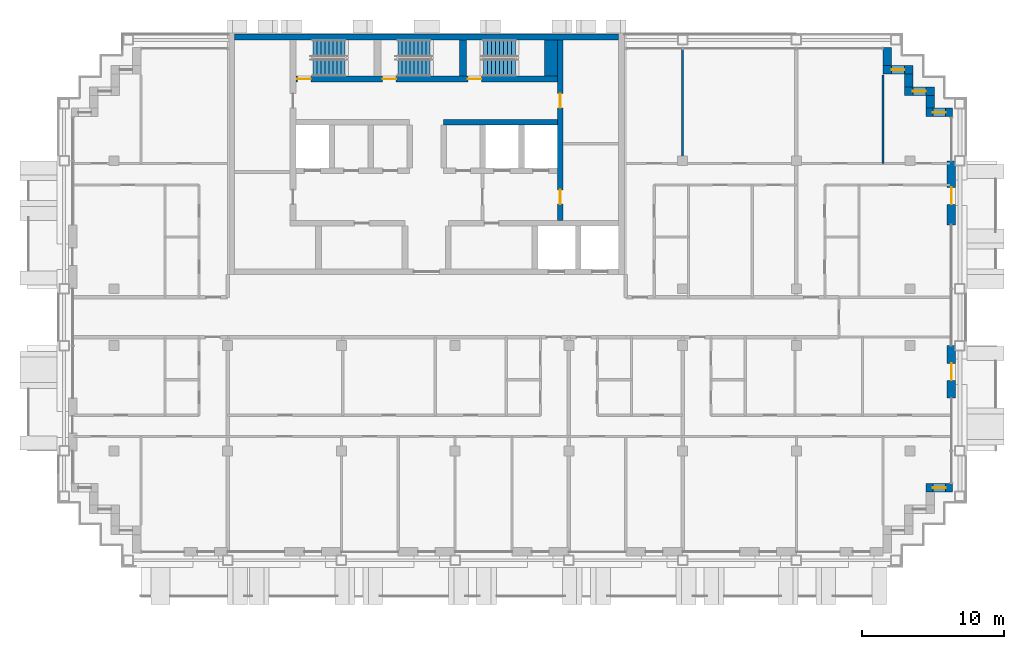
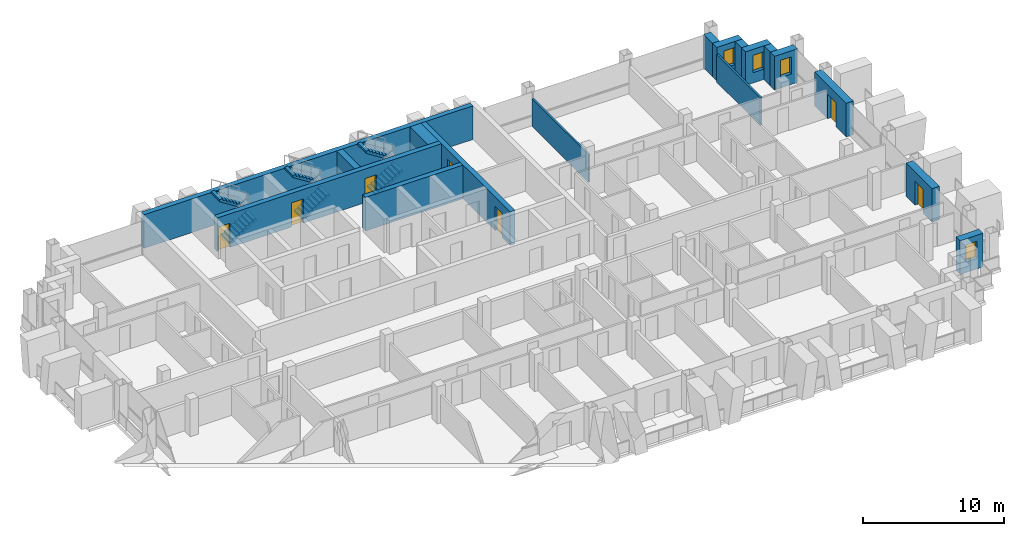
# One storey, part 12 of 16: 17 walls, 7 doors, 6 stair flights, 4 windows, 11 openings, 3 elements without a shape of their own.
"""IFC4 building model written with IfcOpenShell, lengths in metres."""

from ifc_helpers import new_model, si_unit, direction, frame, frame_2d, origin, place, context, subcontext, project, spatial, polyline, rectangle, outline, extrude, material, layer, layer_set, type_object, element, fill, aggregate, save


model = new_model("IFC4")

# Units and contexts
model_context = context("Model", 3, precision=1e-05, world=origin(), true_north=direction((0.0, 1.0)))
body_context = subcontext(model_context, "Body", "Model", "MODEL_VIEW")
ifc_project = project(units=[si_unit("LENGTHUNIT", "METRE"), si_unit("AREAUNIT", "SQUARE_METRE"), si_unit("VOLUMEUNIT", "CUBIC_METRE"), si_unit("PLANEANGLEUNIT", "RADIAN"), si_unit("MASSUNIT", "GRAM", prefix="KILO")], contexts=[model_context])

# Site, building, storey
site_placement = place(None, origin())
site = spatial("IfcSite", under=ifc_project, at=site_placement, CompositionType="ELEMENT")
building_placement = place(site_placement, origin())
building = spatial("IfcBuilding", under=site, at=building_placement, Name="Vidyagriha Tower", CompositionType="ELEMENT")
storey_placement = place(building_placement, frame((0.0, 0.0, 187.699951171875)))
storey = spatial("IfcBuildingStorey", under=building, at=storey_placement, Name="L49", CompositionType="ELEMENT", Elevation=187.699951171875)

# Wall, opening, window
ifc_material_1 = material(Name="Precast concrete C40/50 with brick facing", Category="concrete")
ifc_layer_1 = layer(ifc_material_1, 0.60009765625)
ifc_layer_set_1 = layer_set([ifc_layer_1], Name="Precast concrete C40/50 with brick facing")
wall_type_1 = type_object("IfcWallType", Name="Brick-faced precast wall 600", PredefinedType="STANDARD", material=ifc_layer_set_1)
wall_1_placement = place(storey_placement, frame((36.97998046875, 14.39990234375, 0.0), z_axis=(0.0, 0.0, 1.0), x_axis=(-1.0, 0.0, 0.0)))
wall_1 = element("IfcWall", 1, at=wall_1_placement, inside=storey, type_object=wall_type_1, Name="Stepped corner wall L49 R01", PredefinedType="STANDARD", context=body_context, shape_type="SweptSolid", body=[
    extrude(rectangle(XDim=1.8798828125, YDim=0.60009765625, at=frame_2d((0.93994140625, 0.0))), origin(), (0.0, 0.0, 1.0), 2.920166015625),
])
opening_1_placement = place(wall_1_placement, frame((0.489990234375, 0.0, 0.89990234375)))
opening_1 = element("IfcOpeningElement", 2, at=opening_1_placement, cuts=wall_1, Name="Opening WN1", PredefinedType="OPENING", context=body_context, shape_type="SweptSolid", body=[
    extrude(rectangle(XDim=0.89990234375, YDim=1.5, at=frame_2d((0.449951171875, 0.75))), frame((0.0, 0.31005859375, 0.0), z_axis=(0.0, -1.0, 0.0), x_axis=(1.0, 0.0, 0.0)), (0.0, 0.0, 1.0), 0.6201171875),
])
ifc_material_2 = material(Name="Aluminium and glass window", Category="aluminium")
window_type = type_object("IfcWindowType", Name="Reveal window 900x1500", PartitioningType="NOTDEFINED", PredefinedType="WINDOW", material=ifc_material_2)
window_1_placement = place(opening_1_placement, origin())
window_1 = element("IfcWindow", 3, at=window_1_placement, inside=storey, type_object=window_type, Name="Reveal window L49 R01", OverallHeight=1.5, OverallWidth=0.89990234375, PartitioningType="SINGLE_PANEL", PredefinedType="WINDOW", context=body_context, shape_type="SweptSolid", body=[
    extrude(rectangle(XDim=0.89990234375, YDim=1.5, at=frame_2d((0.449951171875, 0.75))), frame((0.0, 0.030029296875, 0.0), z_axis=(0.0, -1.0, 0.0), x_axis=(1.0, 0.0, 0.0)), (0.0, 0.0, 1.0), 0.06005859375),
])
fill(opening_1, window_1)

# Wall
wall_2_placement = place(storey_placement, frame((35.39990234375, 14.699951171875, 0.0), z_axis=(0.0, 0.0, 1.0), x_axis=(0.0, 1.0, 0.0)))
element("IfcWall", 4, at=wall_2_placement, inside=storey, type_object=wall_type_1, Name="Stepped corner wall L49 R02", PredefinedType="STANDARD", context=body_context, shape_type="SweptSolid", body=[
    extrude(rectangle(XDim=0.900146484375, YDim=0.60009765625, at=frame_2d((0.4501953125, 0.0))), origin(), (0.0, 0.0, 1.0), 2.920166015625),
])

# Wall, opening, window
wall_3_placement = place(storey_placement, frame((35.699951171875, 15.89990234375, 0.0), z_axis=(0.0, 0.0, 1.0), x_axis=(-1.0, 0.0, 0.0)))
wall_3 = element("IfcWall", 5, at=wall_3_placement, inside=storey, type_object=wall_type_1, Name="Stepped corner wall L49 R03", PredefinedType="STANDARD", context=body_context, shape_type="SweptSolid", body=[
    extrude(rectangle(XDim=2.099853515625, YDim=0.60009765625, at=frame_2d((1.0498046875, 0.0))), origin(), (0.0, 0.0, 1.0), 2.920166015625),
])
opening_2_placement = place(wall_3_placement, frame((0.60009765625, 0.0, 0.89990234375)))
opening_2 = element("IfcOpeningElement", 6, at=opening_2_placement, cuts=wall_3, Name="Opening WN1", PredefinedType="OPENING", context=body_context, shape_type="SweptSolid", body=[
    extrude(rectangle(XDim=0.89990234375, YDim=1.5, at=frame_2d((0.449951171875, 0.75))), frame((0.0, 0.31005859375, 0.0), z_axis=(0.0, -1.0, 0.0), x_axis=(1.0, 0.0, 0.0)), (0.0, 0.0, 1.0), 0.6201171875),
])
window_2_placement = place(opening_2_placement, origin())
window_2 = element("IfcWindow", 7, at=window_2_placement, inside=storey, type_object=window_type, Name="Reveal window L49 R03", OverallHeight=1.5, OverallWidth=0.89990234375, PartitioningType="SINGLE_PANEL", PredefinedType="WINDOW", context=body_context, shape_type="SweptSolid", body=[
    extrude(rectangle(XDim=0.89990234375, YDim=1.5, at=frame_2d((0.449951171875, 0.75))), frame((0.0, 0.030029296875, 0.0), z_axis=(0.0, -1.0, 0.0), x_axis=(1.0, 0.0, 0.0)), (0.0, 0.0, 1.0), 0.06005859375),
])
fill(opening_2, window_2)

# Wall
wall_4_placement = place(storey_placement, frame((33.89990234375, 16.199951171875, 0.0), z_axis=(0.0, 0.0, 1.0), x_axis=(0.0, 1.0, 0.0)))
element("IfcWall", 8, at=wall_4_placement, inside=storey, type_object=wall_type_1, Name="Stepped corner wall L49 R04", PredefinedType="STANDARD", context=body_context, shape_type="SweptSolid", body=[
    extrude(rectangle(XDim=0.900146484375, YDim=0.60009765625, at=frame_2d((0.4501953125, 0.0))), origin(), (0.0, 0.0, 1.0), 2.920166015625),
])

# Wall, opening, window
wall_5_placement = place(storey_placement, frame((34.199951171875, 17.39990234375, 0.0), z_axis=(0.0, 0.0, 1.0), x_axis=(-1.0, 0.0, 0.0)))
wall_5 = element("IfcWall", 9, at=wall_5_placement, inside=storey, type_object=wall_type_1, Name="Stepped corner wall L49 R05", PredefinedType="STANDARD", context=body_context, shape_type="SweptSolid", body=[
    extrude(rectangle(XDim=2.099853515625, YDim=0.60009765625, at=frame_2d((1.0498046875, 0.0))), origin(), (0.0, 0.0, 1.0), 2.920166015625),
])
opening_3_placement = place(wall_5_placement, frame((0.60009765625, 0.0, 0.89990234375)))
opening_3 = element("IfcOpeningElement", 10, at=opening_3_placement, cuts=wall_5, Name="Opening WN1", PredefinedType="OPENING", context=body_context, shape_type="SweptSolid", body=[
    extrude(rectangle(XDim=0.89990234375, YDim=1.5, at=frame_2d((0.449951171875, 0.75))), frame((0.0, 0.31005859375, 0.0), z_axis=(0.0, -1.0, 0.0), x_axis=(1.0, 0.0, 0.0)), (0.0, 0.0, 1.0), 0.6201171875),
])
window_3_placement = place(opening_3_placement, origin())
window_3 = element("IfcWindow", 11, at=window_3_placement, inside=storey, type_object=window_type, Name="Reveal window L49 R05", OverallHeight=1.5, OverallWidth=0.89990234375, PartitioningType="SINGLE_PANEL", PredefinedType="WINDOW", context=body_context, shape_type="SweptSolid", body=[
    extrude(rectangle(XDim=0.89990234375, YDim=1.5, at=frame_2d((0.449951171875, 0.75))), frame((0.0, 0.030029296875, 0.0), z_axis=(0.0, -1.0, 0.0), x_axis=(1.0, 0.0, 0.0)), (0.0, 0.0, 1.0), 0.06005859375),
])
fill(opening_3, window_3)

# Wall
wall_6_placement = place(storey_placement, frame((32.39990234375, 17.699951171875, 0.0), z_axis=(0.0, 0.0, 1.0), x_axis=(0.0, 1.0, 0.0)))
element("IfcWall", 12, at=wall_6_placement, inside=storey, type_object=wall_type_1, Name="Stepped corner wall L49 R06", PredefinedType="STANDARD", context=body_context, shape_type="SweptSolid", body=[
    extrude(rectangle(XDim=1.280029296875, YDim=0.60009765625, at=frame_2d((0.64013671875, 0.0))), origin(), (0.0, 0.0, 1.0), 2.920166015625),
])

# Wall, opening, window
wall_7_placement = place(storey_placement, frame((35.10009765625, -12.0, 0.0)))
wall_7 = element("IfcWall", 13, at=wall_7_placement, inside=storey, type_object=wall_type_1, Name="Stepped corner wall L49 R29", PredefinedType="STANDARD", context=body_context, shape_type="SweptSolid", body=[
    extrude(rectangle(XDim=1.8798828125, YDim=0.60009765625, at=frame_2d((0.93994140625, 0.0))), origin(), (0.0, 0.0, 1.0), 2.920166015625),
])
opening_4_placement = place(wall_7_placement, frame((0.489990234375, 0.0, 0.89990234375)))
opening_4 = element("IfcOpeningElement", 14, at=opening_4_placement, cuts=wall_7, Name="Opening WN1", PredefinedType="OPENING", context=body_context, shape_type="SweptSolid", body=[
    extrude(rectangle(XDim=0.89990234375, YDim=1.5, at=frame_2d((0.449951171875, 0.75))), frame((0.0, 0.31005859375, 0.0), z_axis=(0.0, -1.0, 0.0), x_axis=(1.0, 0.0, 0.0)), (0.0, 0.0, 1.0), 0.6201171875),
])
window_4_placement = place(opening_4_placement, origin())
window_4 = element("IfcWindow", 15, at=window_4_placement, inside=storey, type_object=window_type, Name="Reveal window L49 R29", OverallHeight=1.5, OverallWidth=0.89990234375, PartitioningType="SINGLE_PANEL", PredefinedType="WINDOW", context=body_context, shape_type="SweptSolid", body=[
    extrude(rectangle(XDim=0.89990234375, YDim=1.5, at=frame_2d((0.449951171875, 0.75))), frame((0.0, 0.030029296875, 0.0), z_axis=(0.0, -1.0, 0.0), x_axis=(1.0, 0.0, 0.0)), (0.0, 0.0, 1.0), 0.06005859375),
])
fill(opening_4, window_4)

# Wall, opening, door
wall_8_placement = place(storey_placement, frame((36.89990234375, -5.699951171875, 0.0), z_axis=(0.0, 0.0, 1.0), x_axis=(0.0, 1.0, 0.0)))
wall_8 = element("IfcWall", 16, at=wall_8_placement, inside=storey, type_object=wall_type_1, Name="Brick door bay wall L49 R30.3", PredefinedType="STANDARD", context=body_context, shape_type="SweptSolid", body=[
    extrude(rectangle(XDim=3.699951171875, YDim=0.60009765625, at=frame_2d((1.85009765625, 0.0))), origin(), (0.0, 0.0, 1.0), 2.920166015625),
])
opening_5_placement = place(wall_8_placement, frame((1.25, 0.0, 0.0)))
opening_5 = element("IfcOpeningElement", 17, at=opening_5_placement, cuts=wall_8, Name="Opening D49-76", PredefinedType="OPENING", context=body_context, shape_type="SweptSolid", body=[
    extrude(rectangle(XDim=1.199951171875, YDim=2.10009765625, at=frame_2d((0.60009765625, 1.050048828125))), frame((0.0, 0.31005859375, 0.0), z_axis=(0.0, -1.0, 0.0), x_axis=(1.0, 0.0, 0.0)), (0.0, 0.0, 1.0), 0.6201171875),
])
ifc_material_3 = material(Name="Aluminium framed glazed sliding door", Category="aluminium")
door_type_1 = type_object("IfcDoorType", Name="Balcony sliding door 1200x2100", OperationType="NOTDEFINED", PredefinedType="DOOR", material=ifc_material_3)
door_1_placement = place(opening_5_placement, origin())
door_1 = element("IfcDoor", 18, at=door_1_placement, inside=storey, type_object=door_type_1, Name="Door D49-76", OperationType="SLIDING_TO_LEFT", OverallHeight=2.10009765625, OverallWidth=1.199951171875, PredefinedType="DOOR", context=body_context, shape_type="SweptSolid", body=[
    extrude(rectangle(XDim=1.199951171875, YDim=2.10009765625, at=frame_2d((0.60009765625, 1.050048828125))), frame((0.0, 0.02490234375, 0.0), z_axis=(0.0, -1.0, 0.0), x_axis=(1.0, 0.0, 0.0)), (0.0, 0.0, 1.0), 0.050048828125),
])
fill(opening_5, door_1)

wall_9_placement = place(storey_placement, frame((36.89990234375, 6.5, 0.0), z_axis=(0.0, 0.0, 1.0), x_axis=(0.0, 1.0, 0.0)))
wall_9 = element("IfcWall", 19, at=wall_9_placement, inside=storey, type_object=wall_type_1, Name="Brick door bay wall L49 R30.6", PredefinedType="STANDARD", context=body_context, shape_type="SweptSolid", body=[
    extrude(rectangle(XDim=4.5, YDim=0.60009765625, at=frame_2d((2.25, 0.0))), origin(), (0.0, 0.0, 1.0), 2.920166015625),
])
opening_6_placement = place(wall_9_placement, frame((1.425048828125, 0.0, 0.0)))
opening_6 = element("IfcOpeningElement", 20, at=opening_6_placement, cuts=wall_9, Name="Opening D49-77", PredefinedType="OPENING", context=body_context, shape_type="SweptSolid", body=[
    extrude(rectangle(XDim=1.199951171875, YDim=2.10009765625, at=frame_2d((0.60009765625, 1.050048828125))), frame((0.0, 0.31005859375, 0.0), z_axis=(0.0, -1.0, 0.0), x_axis=(1.0, 0.0, 0.0)), (0.0, 0.0, 1.0), 0.6201171875),
])
door_2_placement = place(opening_6_placement, origin())
door_2 = element("IfcDoor", 21, at=door_2_placement, inside=storey, type_object=door_type_1, Name="Door D49-77", OperationType="SLIDING_TO_LEFT", OverallHeight=2.10009765625, OverallWidth=1.199951171875, PredefinedType="DOOR", context=body_context, shape_type="SweptSolid", body=[
    extrude(rectangle(XDim=1.199951171875, YDim=2.10009765625, at=frame_2d((0.60009765625, 1.050048828125))), frame((0.0, 0.02490234375, 0.0), z_axis=(0.0, -1.0, 0.0), x_axis=(1.0, 0.0, 0.0)), (0.0, 0.0, 1.0), 0.050048828125),
])
fill(opening_6, door_2)

# Wall
ifc_material_4 = material(Name="Concrete C60/75", Category="concrete")
ifc_layer_2 = layer(ifc_material_4, 0.39990234375)
ifc_layer_set_2 = layer_set([ifc_layer_2], Name="Concrete C60/75")
wall_type_2 = type_object("IfcWallType", Name="Core shear wall 400 mm", PredefinedType="SHEAR", material=ifc_layer_set_2)
wall_10_placement = place(storey_placement, frame((-13.5, 19.699951171875, 0.0)))
element("IfcWall", 22, at=wall_10_placement, inside=storey, type_object=wall_type_2, Name="Core north wall", PredefinedType="SHEAR", context=body_context, shape_type="SweptSolid", body=[
    extrude(rectangle(XDim=27.0, YDim=0.39990234375, at=frame_2d((13.5, 0.0))), origin(), (0.0, 0.0, 1.0), 2.920166015625),
])

# Wall, openings, doors
wall_11_placement = place(storey_placement, frame((9.39990234375, 6.800048828125, 0.0), z_axis=(0.0, 0.0, 1.0), x_axis=(0.0, 1.0, 0.0)))
wall_11 = element("IfcWall", 23, at=wall_11_placement, inside=storey, type_object=wall_type_2, Name="Core east spine wall", PredefinedType="SHEAR", context=body_context, shape_type="SweptSolid", body=[
    extrude(rectangle(XDim=12.699951171875, YDim=0.39990234375, at=frame_2d((6.35009765625, 0.0))), origin(), (0.0, 0.0, 1.0), 2.920166015625),
])
opening_7_placement = place(wall_11_placement, frame((1.14990234375, 0.0, 0.0)))
opening_7 = element("IfcOpeningElement", 24, at=opening_7_placement, cuts=wall_11, Name="Opening D49-13", PredefinedType="OPENING", context=body_context, shape_type="SweptSolid", body=[
    extrude(rectangle(XDim=1.0, YDim=2.10009765625, at=frame_2d((0.5, 1.050048828125))), frame((0.0, 0.2099609375, 0.0), z_axis=(0.0, -1.0, 0.0), x_axis=(1.0, 0.0, 0.0)), (0.0, 0.0, 1.0), 0.419921875),
])
opening_8_placement = place(wall_11_placement, frame((7.925048828125, 0.0, 0.0)))
opening_8 = element("IfcOpeningElement", 25, at=opening_8_placement, cuts=wall_11, Name="Opening D49-14", PredefinedType="OPENING", context=body_context, shape_type="SweptSolid", body=[
    extrude(rectangle(XDim=1.0, YDim=2.10009765625, at=frame_2d((0.5, 1.050048828125))), frame((0.0, 0.2099609375, 0.0), z_axis=(0.0, -1.0, 0.0), x_axis=(1.0, 0.0, 0.0)), (0.0, 0.0, 1.0), 0.419921875),
])
ifc_material_5 = material(Name="Hollow metal door leaf")
door_type_2 = type_object("IfcDoorType", Name="Core room door 1000 x 2100 mm EI 60", OperationType="NOTDEFINED", PredefinedType="DOOR", material=ifc_material_5)
door_3_placement = place(opening_7_placement, origin())
door_3 = element("IfcDoor", 26, at=door_3_placement, inside=storey, type_object=door_type_2, Name="Door Storage Room 49.E1", OperationType="SINGLE_SWING_RIGHT", OverallHeight=2.10009765625, OverallWidth=1.0, PredefinedType="DOOR", context=body_context, shape_type="SweptSolid", body=[
    extrude(rectangle(XDim=1.0, YDim=2.10009765625, at=frame_2d((0.5, 1.050048828125))), frame((0.0, 0.02490234375, 0.0), z_axis=(0.0, -1.0, 0.0), x_axis=(1.0, 0.0, 0.0)), (0.0, 0.0, 1.0), 0.050048828125),
])
fill(opening_7, door_3)
door_4_placement = place(opening_8_placement, origin())
door_4 = element("IfcDoor", 27, at=door_4_placement, inside=storey, type_object=door_type_2, Name="Door Cleaners Store 49.E2", OperationType="SINGLE_SWING_LEFT", OverallHeight=2.10009765625, OverallWidth=1.0, PredefinedType="DOOR", context=body_context, shape_type="SweptSolid", body=[
    extrude(rectangle(XDim=1.0, YDim=2.10009765625, at=frame_2d((0.5, 1.050048828125))), frame((0.0, 0.02490234375, 0.0), z_axis=(0.0, -1.0, 0.0), x_axis=(1.0, 0.0, 0.0)), (0.0, 0.0, 1.0), 0.050048828125),
])
fill(opening_8, door_4)

# Wall
wall_12_placement = place(storey_placement, frame((1.199951171875, 13.699951171875, 0.0)))
element("IfcWall", 28, at=wall_12_placement, inside=storey, type_object=wall_type_2, Name="Core row N rear wall", PredefinedType="SHEAR", context=body_context, shape_type="SweptSolid", body=[
    extrude(rectangle(XDim=8.0, YDim=0.39990234375, at=frame_2d((4.0, 0.0))), origin(), (0.0, 0.0, 1.0), 2.920166015625),
])

# Wall, openings, doors
wall_13_placement = place(storey_placement, frame((-9.199951171875, 16.75, 0.0)))
wall_13 = element("IfcWall", 29, at=wall_13_placement, inside=storey, type_object=wall_type_2, Name="Stair front wall", PredefinedType="SHEAR", context=body_context, shape_type="SweptSolid", body=[
    extrude(rectangle(XDim=18.39990234375, YDim=0.39990234375, at=frame_2d((9.199951171875, 0.0))), origin(), (0.0, 0.0, 1.0), 2.920166015625),
])
opening_9_placement = place(wall_13_placement, frame((0.10009765625, 0.0, 0.0)))
opening_9 = element("IfcOpeningElement", 30, at=opening_9_placement, cuts=wall_13, Name="Opening D49-08", PredefinedType="OPENING", context=body_context, shape_type="SweptSolid", body=[
    extrude(rectangle(XDim=0.949951171875, YDim=2.10009765625, at=frame_2d((0.47509765625, 1.050048828125))), frame((0.0, 0.2099609375, 0.0), z_axis=(0.0, -1.0, 0.0), x_axis=(1.0, 0.0, 0.0)), (0.0, 0.0, 1.0), 0.419921875),
])
opening_10_placement = place(wall_13_placement, frame((6.10009765625, 0.0, 0.0)))
opening_10 = element("IfcOpeningElement", 31, at=opening_10_placement, cuts=wall_13, Name="Opening D49-09", PredefinedType="OPENING", context=body_context, shape_type="SweptSolid", body=[
    extrude(rectangle(XDim=0.949951171875, YDim=2.10009765625, at=frame_2d((0.47509765625, 1.050048828125))), frame((0.0, 0.2099609375, 0.0), z_axis=(0.0, -1.0, 0.0), x_axis=(1.0, 0.0, 0.0)), (0.0, 0.0, 1.0), 0.419921875),
])
opening_11_placement = place(wall_13_placement, frame((12.10009765625, 0.0, 0.0)))
opening_11 = element("IfcOpeningElement", 32, at=opening_11_placement, cuts=wall_13, Name="Opening D49-10", PredefinedType="OPENING", context=body_context, shape_type="SweptSolid", body=[
    extrude(rectangle(XDim=0.949951171875, YDim=2.10009765625, at=frame_2d((0.47509765625, 1.050048828125))), frame((0.0, 0.2099609375, 0.0), z_axis=(0.0, -1.0, 0.0), x_axis=(1.0, 0.0, 0.0)), (0.0, 0.0, 1.0), 0.419921875),
])
ifc_material_6 = material(Name="Hollow metal door leaf")
door_type_3 = type_object("IfcDoorType", Name="Exit stair door 950 x 2100 mm EI 90", OperationType="NOTDEFINED", PredefinedType="DOOR", material=ifc_material_6)
door_5_placement = place(opening_9_placement, origin())
door_5 = element("IfcDoor", 33, at=door_5_placement, inside=storey, type_object=door_type_3, Name="Stair door ST1 L49", OperationType="SINGLE_SWING_LEFT", OverallHeight=2.10009765625, OverallWidth=0.949951171875, PredefinedType="DOOR", context=body_context, shape_type="SweptSolid", body=[
    extrude(rectangle(XDim=0.949951171875, YDim=2.10009765625, at=frame_2d((0.47509765625, 1.050048828125))), frame((0.0, 0.02490234375, 0.0), z_axis=(0.0, -1.0, 0.0), x_axis=(1.0, 0.0, 0.0)), (0.0, 0.0, 1.0), 0.050048828125),
])
fill(opening_9, door_5)
door_6_placement = place(opening_10_placement, origin())
door_6 = element("IfcDoor", 34, at=door_6_placement, inside=storey, type_object=door_type_3, Name="Stair door ST2 L49", OperationType="SINGLE_SWING_LEFT", OverallHeight=2.10009765625, OverallWidth=0.949951171875, PredefinedType="DOOR", context=body_context, shape_type="SweptSolid", body=[
    extrude(rectangle(XDim=0.949951171875, YDim=2.10009765625, at=frame_2d((0.47509765625, 1.050048828125))), frame((0.0, 0.02490234375, 0.0), z_axis=(0.0, -1.0, 0.0), x_axis=(1.0, 0.0, 0.0)), (0.0, 0.0, 1.0), 0.050048828125),
])
fill(opening_10, door_6)
door_7_placement = place(opening_11_placement, origin())
door_7 = element("IfcDoor", 35, at=door_7_placement, inside=storey, type_object=door_type_3, Name="Stair door ST3 L49", OperationType="SINGLE_SWING_LEFT", OverallHeight=2.10009765625, OverallWidth=0.949951171875, PredefinedType="DOOR", context=body_context, shape_type="SweptSolid", body=[
    extrude(rectangle(XDim=0.949951171875, YDim=2.10009765625, at=frame_2d((0.47509765625, 1.050048828125))), frame((0.0, 0.02490234375, 0.0), z_axis=(0.0, -1.0, 0.0), x_axis=(1.0, 0.0, 0.0)), (0.0, 0.0, 1.0), 0.050048828125),
])
fill(opening_11, door_7)

# Walls
ifc_material_7 = material(Name="Concrete C60/75", Category="concrete")
ifc_layer_3 = layer(ifc_material_7, 0.5)
ifc_layer_set_3 = layer_set([ifc_layer_3], Name="Concrete C60/75")
wall_type_3 = type_object("IfcWallType", Name="Core shear wall 500 mm", PredefinedType="SHEAR", material=ifc_layer_set_3)
wall_14_placement = place(storey_placement, frame((2.550048828125, 16.949951171875, 0.0), z_axis=(0.0, 0.0, 1.0), x_axis=(0.0, 1.0, 0.0)))
element("IfcWall", 36, at=wall_14_placement, inside=storey, type_object=wall_type_3, Name="Stair partition wall 2", PredefinedType="SHEAR", context=body_context, shape_type="SweptSolid", body=[
    extrude(rectangle(XDim=2.550048828125, YDim=0.5, at=frame_2d((1.27490234375, 0.0))), origin(), (0.0, 0.0, 1.0), 2.920166015625),
])
ifc_material_8 = material(Name="Concrete C60/75", Category="concrete")
ifc_layer_4 = layer(ifc_material_8, 0.89990234375)
ifc_layer_set_4 = layer_set([ifc_layer_4], Name="Concrete C60/75")
wall_type_4 = type_object("IfcWallType", Name="Core shear wall 900 mm", PredefinedType="SHEAR", material=ifc_layer_set_4)
wall_15_placement = place(storey_placement, frame((8.75, 16.949951171875, 0.0), z_axis=(0.0, 0.0, 1.0), x_axis=(0.0, 1.0, 0.0)))
element("IfcWall", 37, at=wall_15_placement, inside=storey, type_object=wall_type_4, Name="Stair end wall", PredefinedType="SHEAR", context=body_context, shape_type="SweptSolid", body=[
    extrude(rectangle(XDim=2.550048828125, YDim=0.89990234375, at=frame_2d((1.27490234375, 0.0))), origin(), (0.0, 0.0, 1.0), 2.920166015625),
])
ifc_material_9 = material(Name="Gypsum board partition")
ifc_layer_5 = layer(ifc_material_9, 0.14990234375)
ifc_layer_set_5 = layer_set([ifc_layer_5], Name="Gypsum board partition")
wall_type_5 = type_object("IfcWallType", Name="Gypsum board partition 150", PredefinedType="PARTITIONING", material=ifc_layer_set_5)
wall_16_placement = place(storey_placement, frame((18.0, 18.821044921875, 0.0), z_axis=(0.0, 0.0, 1.0), x_axis=(0.0, -1.0, 0.0)))
element("IfcWall", 38, at=wall_16_placement, inside=storey, type_object=wall_type_5, Name="Wall all-L49-w096", PredefinedType="PARTITIONING", context=body_context, shape_type="SweptSolid", body=[
    extrude(rectangle(XDim=8.02099609375, YDim=0.14990234375, at=frame_2d((4.010498046875, 0.0))), origin(), (0.0, 0.0, 1.0), 2.400146484375),
])
wall_17_placement = place(storey_placement, frame((32.10009765625, 17.02001953125, 0.0), z_axis=(0.0, 0.0, 1.0), x_axis=(0.0, -1.0, 0.0)))
element("IfcWall", 39, at=wall_17_placement, inside=storey, type_object=wall_type_5, Name="Wall all-L49-w108", PredefinedType="PARTITIONING", context=body_context, shape_type="SweptSolid", body=[
    extrude(rectangle(XDim=6.219970703125, YDim=0.14990234375, at=frame_2d((3.10986328125, 0.0))), origin(), (0.0, 0.0, 1.0), 2.400146484375),
])

# Stair, stair flights
ifc_material_10 = material(Name="Concrete C40/50", Category="concrete")
stair_type = type_object("IfcStairType", Name="Exit stair, half-turn, precast flights", PredefinedType="HALF_TURN_STAIR", material=ifc_material_10)
stair_1_placement = place(storey_placement, origin())
stair_1 = element("IfcStair", 40, at=stair_1_placement, inside=storey, type_object=stair_type, Name="L49 Exit Stair ST1", PredefinedType="HALF_TURN_STAIR")
ifc_material_11 = material(Name="Precast concrete C40/50", Category="concrete")
stair_flight_type = type_object("IfcStairFlightType", Name="Exit stair flight 1200 mm, precast", PredefinedType="STRAIGHT", material=ifc_material_11)
stair_flight_1_placement = place(storey_placement, frame((-8.0, 17.550048828125, 0.0)))
stair_flight_1 = element("IfcStairFlight", 41, at=stair_flight_1_placement, type_object=stair_flight_type, Name="ST1 flight 1", NumberOfRisers=9, NumberOfTreads=8, PredefinedType="STRAIGHT", RiserHeight=0.177777778, TreadLength=0.28, context=body_context, shape_type="SweptSolid", body=[
    extrude(outline(polyline([(0.0, 0.0), (0.0, 0.177734375), (0.280029296875, 0.177734375), (0.280029296875, 0.35546875), (0.56005859375, 0.35546875), (0.56005859375, 0.533447265625), (0.840087890625, 0.533447265625), (0.840087890625, 0.711181640625), (1.1201171875, 0.711181640625), (1.1201171875, 0.888916015625), (1.39990234375, 0.888916015625), (1.39990234375, 1.066650390625), (1.679931640625, 1.066650390625), (1.679931640625, 1.244384765625), (1.9599609375, 1.244384765625), (1.9599609375, 1.422119140625), (2.239990234375, 1.422119140625), (2.239990234375, 1.60009765625), (2.239990234375, 1.24462890625), (0.27978515625, 0.0), (0.0, 0.0)])), frame((0.0, 0.60009765625, 0.0), z_axis=(0.0, -1.0, 0.0), x_axis=(1.0, 0.0, 0.0)), (0.0, 0.0, 1.0), 1.199951171875),
])
stair_flight_2_placement = place(storey_placement, frame((-5.760009765625, 18.89990234375, 1.60009765625), z_axis=(0.0, 0.0, 1.0), x_axis=(-1.0, 0.0, 0.0)))
stair_flight_2 = element("IfcStairFlight", 42, at=stair_flight_2_placement, type_object=stair_flight_type, Name="ST1 flight 2", NumberOfRisers=9, NumberOfTreads=8, PredefinedType="STRAIGHT", RiserHeight=0.177777778, TreadLength=0.28, context=body_context, shape_type="SweptSolid", body=[
    extrude(outline(polyline([(0.0, 0.0), (0.0, 0.177734375), (0.280029296875, 0.177734375), (0.280029296875, 0.35546875), (0.56005859375, 0.35546875), (0.56005859375, 0.533447265625), (0.840087890625, 0.533447265625), (0.840087890625, 0.711181640625), (1.1201171875, 0.711181640625), (1.1201171875, 0.888916015625), (1.39990234375, 0.888916015625), (1.39990234375, 1.066650390625), (1.679931640625, 1.066650390625), (1.679931640625, 1.244384765625), (1.9599609375, 1.244384765625), (1.9599609375, 1.422119140625), (2.239990234375, 1.422119140625), (2.239990234375, 1.60009765625), (2.239990234375, 1.24462890625), (0.27978515625, 0.0), (0.0, 0.0)])), frame((0.0, 0.60009765625, 0.0), z_axis=(0.0, -1.0, 0.0), x_axis=(1.0, 0.0, 0.0)), (0.0, 0.0, 1.0), 1.199951171875),
])
aggregate(stair_1, [stair_flight_1, stair_flight_2])

stair_2_placement = place(storey_placement, origin())
stair_2 = element("IfcStair", 43, at=stair_2_placement, inside=storey, type_object=stair_type, Name="L49 Exit Stair ST2", PredefinedType="HALF_TURN_STAIR")
stair_flight_3_placement = place(storey_placement, frame((-2.0, 17.550048828125, 0.0)))
stair_flight_3 = element("IfcStairFlight", 44, at=stair_flight_3_placement, type_object=stair_flight_type, Name="ST2 flight 1", NumberOfRisers=9, NumberOfTreads=8, PredefinedType="STRAIGHT", RiserHeight=0.177777778, TreadLength=0.28, context=body_context, shape_type="SweptSolid", body=[
    extrude(outline(polyline([(0.0, 0.0), (0.0, 0.177734375), (0.280029296875, 0.177734375), (0.280029296875, 0.35546875), (0.56005859375, 0.35546875), (0.56005859375, 0.533447265625), (0.840087890625, 0.533447265625), (0.840087890625, 0.711181640625), (1.1201171875, 0.711181640625), (1.1201171875, 0.888916015625), (1.39990234375, 0.888916015625), (1.39990234375, 1.066650390625), (1.679931640625, 1.066650390625), (1.679931640625, 1.244384765625), (1.9599609375, 1.244384765625), (1.9599609375, 1.422119140625), (2.239990234375, 1.422119140625), (2.239990234375, 1.60009765625), (2.239990234375, 1.24462890625), (0.27978515625, 0.0), (0.0, 0.0)])), frame((0.0, 0.60009765625, 0.0), z_axis=(0.0, -1.0, 0.0), x_axis=(1.0, 0.0, 0.0)), (0.0, 0.0, 1.0), 1.199951171875),
])
stair_flight_4_placement = place(storey_placement, frame((0.239990234375, 18.89990234375, 1.60009765625), z_axis=(0.0, 0.0, 1.0), x_axis=(-1.0, 0.0, 0.0)))
stair_flight_4 = element("IfcStairFlight", 45, at=stair_flight_4_placement, type_object=stair_flight_type, Name="ST2 flight 2", NumberOfRisers=9, NumberOfTreads=8, PredefinedType="STRAIGHT", RiserHeight=0.177777778, TreadLength=0.28, context=body_context, shape_type="SweptSolid", body=[
    extrude(outline(polyline([(0.0, 0.0), (0.0, 0.177734375), (0.280029296875, 0.177734375), (0.280029296875, 0.35546875), (0.56005859375, 0.35546875), (0.56005859375, 0.533447265625), (0.840087890625, 0.533447265625), (0.840087890625, 0.711181640625), (1.1201171875, 0.711181640625), (1.1201171875, 0.888916015625), (1.39990234375, 0.888916015625), (1.39990234375, 1.066650390625), (1.679931640625, 1.066650390625), (1.679931640625, 1.244384765625), (1.9599609375, 1.244384765625), (1.9599609375, 1.422119140625), (2.239990234375, 1.422119140625), (2.239990234375, 1.60009765625), (2.239990234375, 1.24462890625), (0.27978515625, 0.0), (0.0, 0.0)])), frame((0.0, 0.60009765625, 0.0), z_axis=(0.0, -1.0, 0.0), x_axis=(1.0, 0.0, 0.0)), (0.0, 0.0, 1.0), 1.199951171875),
])
aggregate(stair_2, [stair_flight_3, stair_flight_4])

stair_3_placement = place(storey_placement, origin())
stair_3 = element("IfcStair", 46, at=stair_3_placement, inside=storey, type_object=stair_type, Name="L49 Exit Stair ST3", PredefinedType="HALF_TURN_STAIR")
stair_flight_5_placement = place(storey_placement, frame((4.0, 17.550048828125, 0.0)))
stair_flight_5 = element("IfcStairFlight", 47, at=stair_flight_5_placement, type_object=stair_flight_type, Name="ST3 flight 1", NumberOfRisers=9, NumberOfTreads=8, PredefinedType="STRAIGHT", RiserHeight=0.177777778, TreadLength=0.28, context=body_context, shape_type="SweptSolid", body=[
    extrude(outline(polyline([(0.0, 0.0), (0.0, 0.177734375), (0.280029296875, 0.177734375), (0.280029296875, 0.35546875), (0.56005859375, 0.35546875), (0.56005859375, 0.533447265625), (0.840087890625, 0.533447265625), (0.840087890625, 0.711181640625), (1.1201171875, 0.711181640625), (1.1201171875, 0.888916015625), (1.39990234375, 0.888916015625), (1.39990234375, 1.066650390625), (1.679931640625, 1.066650390625), (1.679931640625, 1.244384765625), (1.9599609375, 1.244384765625), (1.9599609375, 1.422119140625), (2.239990234375, 1.422119140625), (2.239990234375, 1.60009765625), (2.239990234375, 1.24462890625), (0.27978515625, 0.0), (0.0, 0.0)])), frame((0.0, 0.60009765625, 0.0), z_axis=(0.0, -1.0, 0.0), x_axis=(1.0, 0.0, 0.0)), (0.0, 0.0, 1.0), 1.199951171875),
])
stair_flight_6_placement = place(storey_placement, frame((6.239990234375, 18.89990234375, 1.60009765625), z_axis=(0.0, 0.0, 1.0), x_axis=(-1.0, 0.0, 0.0)))
stair_flight_6 = element("IfcStairFlight", 48, at=stair_flight_6_placement, type_object=stair_flight_type, Name="ST3 flight 2", NumberOfRisers=9, NumberOfTreads=8, PredefinedType="STRAIGHT", RiserHeight=0.177777778, TreadLength=0.28, context=body_context, shape_type="SweptSolid", body=[
    extrude(outline(polyline([(0.0, 0.0), (0.0, 0.177734375), (0.280029296875, 0.177734375), (0.280029296875, 0.35546875), (0.56005859375, 0.35546875), (0.56005859375, 0.533447265625), (0.840087890625, 0.533447265625), (0.840087890625, 0.711181640625), (1.1201171875, 0.711181640625), (1.1201171875, 0.888916015625), (1.39990234375, 0.888916015625), (1.39990234375, 1.066650390625), (1.679931640625, 1.066650390625), (1.679931640625, 1.244384765625), (1.9599609375, 1.244384765625), (1.9599609375, 1.422119140625), (2.239990234375, 1.422119140625), (2.239990234375, 1.60009765625), (2.239990234375, 1.24462890625), (0.27978515625, 0.0), (0.0, 0.0)])), frame((0.0, 0.60009765625, 0.0), z_axis=(0.0, -1.0, 0.0), x_axis=(1.0, 0.0, 0.0)), (0.0, 0.0, 1.0), 1.199951171875),
])
aggregate(stair_3, [stair_flight_5, stair_flight_6])

save(model, "model.ifc")
